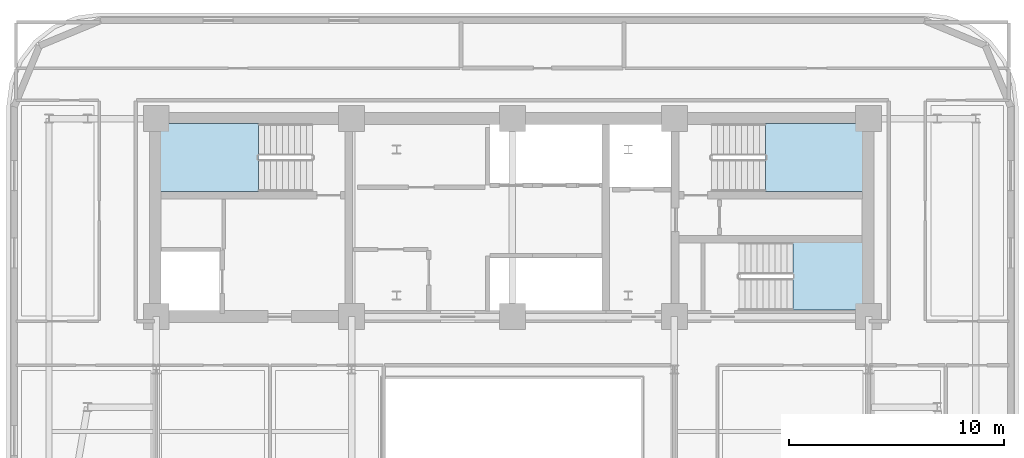
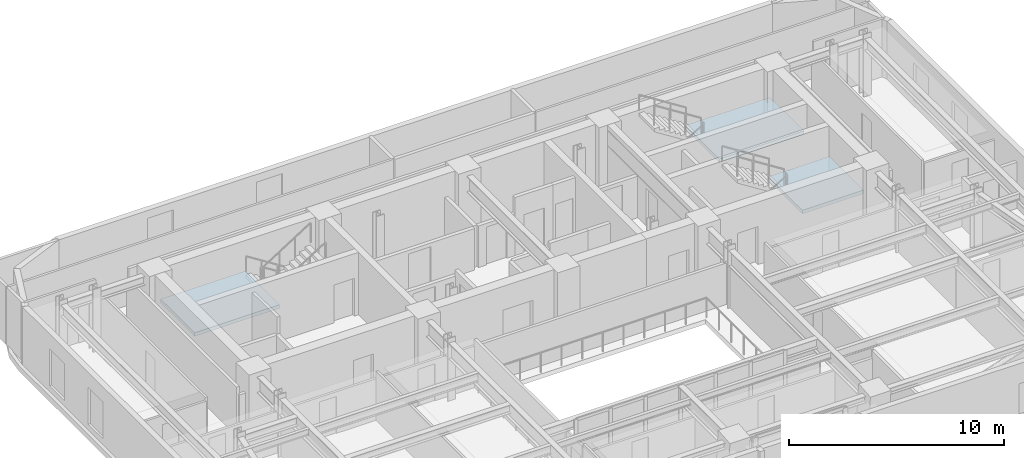
# One storey, part 4 of 12: 3 slabs, 3 elements without a shape of their own.
"""IFC4 building model written with IfcOpenShell, lengths in metres."""

from ifc_helpers import new_model, si_unit, direction, frame, origin, place, context, subcontext, project, spatial, polyline, outline, extrude, material, layer, layer_set, type_object, element, aggregate, save


model = new_model("IFC4")

# Units and contexts
model_context = context("Model", 3, precision=1e-05, world=origin(), true_north=direction((0.0, 1.0)))
body_context = subcontext(model_context, "Body", "Model", "MODEL_VIEW")
ifc_project = project(units=[si_unit("LENGTHUNIT", "METRE"), si_unit("AREAUNIT", "SQUARE_METRE"), si_unit("VOLUMEUNIT", "CUBIC_METRE"), si_unit("PLANEANGLEUNIT", "RADIAN"), si_unit("MASSUNIT", "GRAM", prefix="KILO")], contexts=[model_context])

# Site, building, storey
site_placement = place(None, origin())
site = spatial("IfcSite", under=ifc_project, at=site_placement, CompositionType="ELEMENT")
building_placement = place(site_placement, origin())
building = spatial("IfcBuilding", under=site, at=building_placement, Name="Zarnavel Station Tower", CompositionType="ELEMENT")
storey_placement = place(building_placement, frame((0.0, 0.0, 155.449951171875)))
storey = spatial("IfcBuildingStorey", under=building, at=storey_placement, Name="L42", CompositionType="ELEMENT", Elevation=155.449951171875)

# Stair, slab
ifc_material_1 = material(Name="Concrete C45/55", Category="concrete")
stair_type = type_object("IfcStairType", Name="ST_CORE_150", PredefinedType="HALF_TURN_STAIR", material=ifc_material_1)
stair_1_placement = place(storey_placement, origin())
stair_1 = element("IfcStair", 1, at=stair_1_placement, inside=storey, type_object=stair_type, Name="L42 Core Exit Stair ST1", PredefinedType="HALF_TURN_STAIR")
ifc_material_2 = material(Name="Concrete C45/55", Category="concrete")
ifc_layer = layer(ifc_material_2, 0.199951171875)
ifc_layer_set = layer_set([ifc_layer], Name="SL_STAIR_LAND_200")
slab_type = type_object("IfcSlabType", Name="SL_STAIR_LAND_200", PredefinedType="LANDING", material=ifc_layer_set)
slab_1_placement = place(storey_placement, frame((0.0, 0.0, 1.574951171875)))
slab_1 = element("IfcSlab", 2, at=slab_1_placement, type_object=slab_type, Name="ST1 landing 1", PredefinedType="LANDING", context=body_context, shape_type="SweptSolid", body=[
    extrude(outline(polyline([(16.9599609375, 36.820068359375), (12.39990234375, 36.820068359375), (12.39990234375, 33.659912109375), (16.9599609375, 33.659912109375), (16.9599609375, 36.820068359375)])), origin(), (0.0, 0.0, 1.0), 0.2001953125),
])
aggregate(stair_1, [slab_1])

stair_2_placement = place(storey_placement, origin())
stair_2 = element("IfcStair", 3, at=stair_2_placement, inside=storey, type_object=stair_type, Name="L42 Core Exit Stair ST2", PredefinedType="HALF_TURN_STAIR")
slab_2_placement = place(storey_placement, frame((0.0, 0.0, 1.574951171875)))
slab_2 = element("IfcSlab", 4, at=slab_2_placement, type_object=slab_type, Name="ST2 landing 1", PredefinedType="LANDING", context=body_context, shape_type="SweptSolid", body=[
    extrude(outline(polyline([(40.60009765625, 33.659912109375), (45.159912109375, 33.659912109375), (45.159912109375, 36.820068359375), (40.60009765625, 36.820068359375), (40.60009765625, 33.659912109375)])), origin(), (0.0, 0.0, 1.0), 0.2001953125),
])
aggregate(stair_2, [slab_2])

stair_3_placement = place(storey_placement, origin())
stair_3 = element("IfcStair", 5, at=stair_3_placement, inside=storey, type_object=stair_type, Name="L42 Core Exit Stair ST3", PredefinedType="HALF_TURN_STAIR")
slab_3_placement = place(storey_placement, frame((0.0, 0.0, 1.574951171875)))
slab_3 = element("IfcSlab", 6, at=slab_3_placement, type_object=slab_type, Name="ST3 landing 1", PredefinedType="LANDING", context=body_context, shape_type="SweptSolid", body=[
    extrude(outline(polyline([(41.8701171875, 28.1201171875), (45.14990234375, 28.1201171875), (45.14990234375, 31.280029296875), (41.8701171875, 31.280029296875), (41.8701171875, 28.1201171875)])), origin(), (0.0, 0.0, 1.0), 0.2001953125),
])
aggregate(stair_3, [slab_3])

save(model, "model.ifc")
